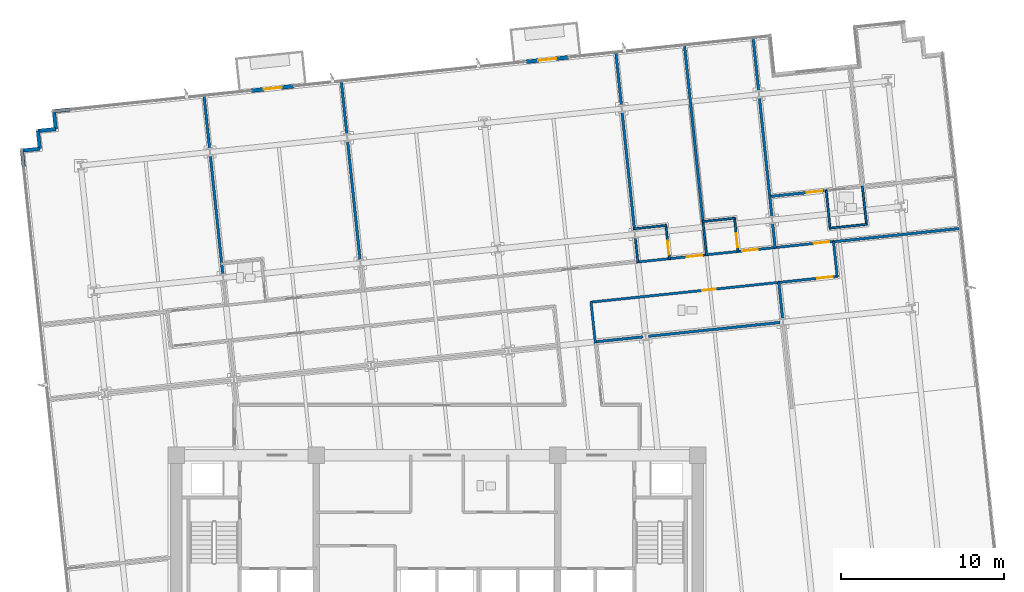
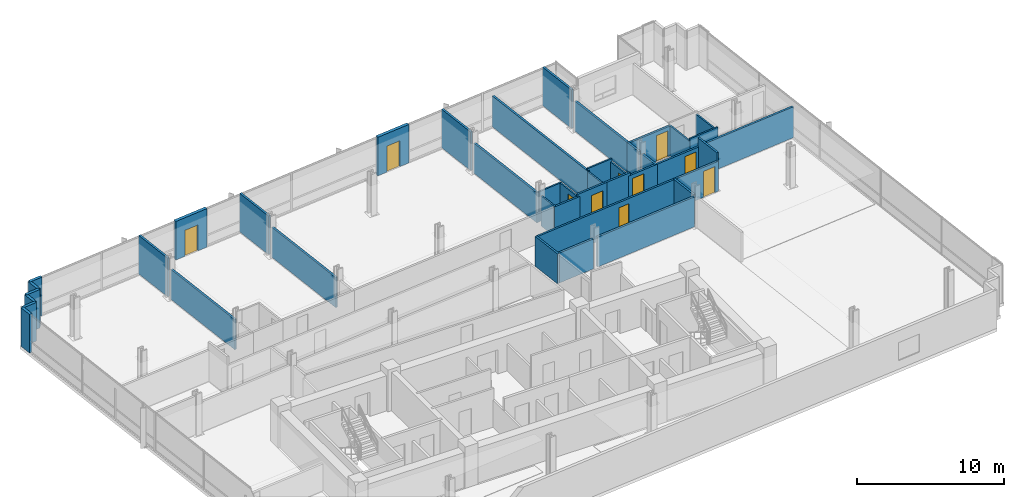
# One storey, part 15 of 21: 42 walls, 10 doors, 10 openings.
"""IFC4 building model written with IfcOpenShell, lengths in metres."""

from ifc_helpers import new_model, si_unit, direction, frame, frame_2d, origin, place, context, subcontext, project, spatial, rectangle, extrude, material, layer, layer_set, type_object, element, fill, save


model = new_model("IFC4")

# Units and contexts
model_context = context("Model", 3, precision=1e-05, world=origin(), true_north=direction((0.0, 1.0)))
body_context = subcontext(model_context, "Body", "Model", "MODEL_VIEW")
ifc_project = project(units=[si_unit("LENGTHUNIT", "METRE"), si_unit("AREAUNIT", "SQUARE_METRE"), si_unit("VOLUMEUNIT", "CUBIC_METRE"), si_unit("PLANEANGLEUNIT", "RADIAN"), si_unit("MASSUNIT", "GRAM", prefix="KILO")], contexts=[model_context])

# Site, building, storey
site_placement = place(None, origin())
site = spatial("IfcSite", under=ifc_project, at=site_placement, CompositionType="ELEMENT")
building_placement = place(site_placement, origin())
building = spatial("IfcBuilding", under=site, at=building_placement, Name="Solmavex Isthmus Hotel", CompositionType="ELEMENT")
storey_placement = place(building_placement, frame((0.0, 0.0, 113.25)))
storey = spatial("IfcBuildingStorey", under=building, at=storey_placement, Name="L30", CompositionType="ELEMENT", Elevation=113.25)

# Wall, opening, door
ifc_material_1 = material(Name="Precast Concrete C40/50", Category="concrete")
ifc_layer_1 = layer(ifc_material_1, 0.25)
ifc_layer_set_1 = layer_set([ifc_layer_1], Name="Precast Concrete C40/50")
wall_type_1 = type_object("IfcWallType", Name="EW-TWR-250", PredefinedType="STANDARD", material=ifc_layer_set_1)
wall_1_placement = place(storey_placement, frame((-11.374267578125, 19.859130859375, 0.0), z_axis=(0.0, 0.0, 1.0), x_axis=(0.994524472508, 0.104503940512, 0.0)))
wall_1 = element("IfcWall", 1, at=wall_1_placement, inside=storey, type_object=wall_type_1, Name="Exterior Balcony Door Wall L30-2", PredefinedType="STANDARD", context=body_context, shape_type="SweptSolid", body=[
    extrude(rectangle(XDim=2.60009765625, YDim=0.239990234375, at=frame_2d((1.300048828125, 0.0))), origin(), (0.0, 0.0, 1.0), 3.18994140625),
])
opening_1_placement = place(wall_1_placement, frame((0.75, 0.0, 0.0)))
opening_1 = element("IfcOpeningElement", 2, at=opening_1_placement, cuts=wall_1, Name="Opening ED-02", PredefinedType="OPENING", context=body_context, shape_type="SweptSolid", body=[
    extrude(rectangle(XDim=1.10009765625, YDim=2.14990234375, at=frame_2d((0.550048828125, 1.074951171875))), frame((0.0, 0.1298828125, 0.0), z_axis=(0.0, -1.0, 0.0), x_axis=(1.0, 0.0, 0.0)), (0.0, 0.0, 1.0), 0.260009765625),
])
ifc_material_2 = material(Name="Aluminium alloy 6063-T6", Category="aluminium")
door_type_1 = type_object("IfcDoorType", Name="EDR-BALC-1100", OperationType="NOTDEFINED", PredefinedType="DOOR", material=ifc_material_2)
door_1_placement = place(opening_1_placement, origin())
door_1 = element("IfcDoor", 3, at=door_1_placement, inside=storey, type_object=door_type_1, Name="Balcony & Terrace Glazed Door L30-2", OperationType="SINGLE_SWING_RIGHT", OverallHeight=2.14990234375, OverallWidth=1.10009765625, PredefinedType="DOOR", context=body_context, shape_type="SweptSolid", body=[
    extrude(rectangle(XDim=1.10009765625, YDim=2.14990234375, at=frame_2d((0.550048828125, 1.074951171875))), frame((0.0, 0.02490234375, 0.0), z_axis=(0.0, -1.0, 0.0), x_axis=(1.0, 0.0, 0.0)), (0.0, 0.0, 1.0), 0.050048828125),
])
fill(opening_1, door_1)

wall_2_placement = place(storey_placement, frame((5.465087890625, 21.629150390625, 0.0), z_axis=(0.0, 0.0, 1.0), x_axis=(0.994523446942, 0.104513699976, 0.0)))
wall_2 = element("IfcWall", 4, at=wall_2_placement, inside=storey, type_object=wall_type_1, Name="Exterior Balcony Door Wall L30-3", PredefinedType="STANDARD", context=body_context, shape_type="SweptSolid", body=[
    extrude(rectangle(XDim=2.599853515625, YDim=0.239990234375, at=frame_2d((1.2998046875, 0.0))), origin(), (0.0, 0.0, 1.0), 3.18994140625),
])
opening_2_placement = place(wall_2_placement, frame((0.75, 0.0, 0.0)))
opening_2 = element("IfcOpeningElement", 5, at=opening_2_placement, cuts=wall_2, Name="Opening ED-02", PredefinedType="OPENING", context=body_context, shape_type="SweptSolid", body=[
    extrude(rectangle(XDim=1.10009765625, YDim=2.14990234375, at=frame_2d((0.550048828125, 1.074951171875))), frame((0.0, 0.1298828125, 0.0), z_axis=(0.0, -1.0, 0.0), x_axis=(1.0, 0.0, 0.0)), (0.0, 0.0, 1.0), 0.260009765625),
])
door_2_placement = place(opening_2_placement, origin())
door_2 = element("IfcDoor", 6, at=door_2_placement, inside=storey, type_object=door_type_1, Name="Balcony & Terrace Glazed Door L30-3", OperationType="SINGLE_SWING_LEFT", OverallHeight=2.14990234375, OverallWidth=1.10009765625, PredefinedType="DOOR", context=body_context, shape_type="SweptSolid", body=[
    extrude(rectangle(XDim=1.10009765625, YDim=2.14990234375, at=frame_2d((0.550048828125, 1.074951171875))), frame((0.0, 0.02490234375, 0.0), z_axis=(0.0, -1.0, 0.0), x_axis=(1.0, 0.0, 0.0)), (0.0, 0.0, 1.0), 0.050048828125),
])
fill(opening_2, door_2)

# Walls
wall_3_placement = place(storey_placement, frame((-25.35400390625, 15.1923828125, 0.0), z_axis=(0.0, 0.0, 1.0), x_axis=(-0.104556418955, 0.99451895671, 0.0)))
element("IfcWall", 7, at=wall_3_placement, inside=storey, type_object=wall_type_1, Name="Serrated Corner Facade Panel L30-07", PredefinedType="STANDARD", context=body_context, shape_type="SweptSolid", body=[
    extrude(rectangle(XDim=0.989990234375, YDim=0.219970703125, at=frame_2d((0.4951171875, 0.0))), origin(), (0.0, 0.0, 1.0), 3.18994140625),
])
wall_4_placement = place(storey_placement, frame((-25.45751953125, 16.177001953125, 0.0), z_axis=(0.0, 0.0, 1.0), x_axis=(0.994521251134, 0.104534592565, 0.0)))
element("IfcWall", 8, at=wall_4_placement, inside=storey, type_object=wall_type_1, Name="Serrated Corner Facade Panel L30-08", PredefinedType="STANDARD", context=body_context, shape_type="SweptSolid", body=[
    extrude(rectangle(XDim=1.10009765625, YDim=0.219970703125, at=frame_2d((0.550048828125, 0.0))), origin(), (0.0, 0.0, 1.0), 3.18994140625),
])
wall_5_placement = place(storey_placement, frame((-24.363525390625, 16.2919921875, 0.0), z_axis=(0.0, 0.0, 1.0), x_axis=(-0.104557671117, 0.994518825066, 0.0)))
element("IfcWall", 9, at=wall_5_placement, inside=storey, type_object=wall_type_1, Name="Serrated Corner Facade Panel L30-09", PredefinedType="STANDARD", context=body_context, shape_type="SweptSolid", body=[
    extrude(rectangle(XDim=1.099853515625, YDim=0.219970703125, at=frame_2d((0.5498046875, 0.0))), origin(), (0.0, 0.0, 1.0), 3.18994140625),
])
for number, where, z_axis, x_axis, name in (
    (10, (-24.478515625, 17.3857421875, 0.0), (0.0, 0.0, 1.0), (0.994521251134, 0.104534592565, 0.0), "Serrated Corner Facade Panel L30-10"),
    (11, (-23.384521484375, 17.500732421875, 0.0), (0.0, 0.0, 1.0), (-0.104534592565, 0.994521251134, 0.0), "Serrated Corner Facade Panel L30-11"),
):
    element("IfcWall", number, at=place(storey_placement, frame(where, z_axis=z_axis, x_axis=x_axis)), inside=storey, type_object=wall_type_1, Name=name, PredefinedType="STANDARD", context=body_context, shape_type="SweptSolid", body=[
        extrude(rectangle(XDim=1.10009765625, YDim=0.219970703125, at=frame_2d((0.550048828125, 0.0))), origin(), (0.0, 0.0, 1.0), 3.18994140625),
    ])
wall_6_placement = place(storey_placement, frame((-23.49951171875, 18.5947265625, 0.0), z_axis=(0.0, 0.0, 1.0), x_axis=(0.99451895671, 0.104556418955, 0.0)))
element("IfcWall", 12, at=wall_6_placement, inside=storey, type_object=wall_type_1, Name="Serrated Corner Facade Panel L30-12", PredefinedType="STANDARD", context=body_context, shape_type="SweptSolid", body=[
    extrude(rectangle(XDim=0.989990234375, YDim=0.219970703125, at=frame_2d((0.4951171875, 0.0))), origin(), (0.0, 0.0, 1.0), 3.18994140625),
])
ifc_material_3 = material(Name="Gypsum plasterboard lining", Category="gypsum")
ifc_layer_2 = layer(ifc_material_3, 0.159912109375)
ifc_layer_set_2 = layer_set([ifc_layer_2], Name="Gypsum plasterboard lining")
wall_type_2 = type_object("IfcWallType", Name="IW-COMP-160", PredefinedType="PARTITIONING", material=ifc_layer_set_2)
wall_7_placement = place(storey_placement, frame((-14.29541015625, 19.59228515625, 0.0), z_axis=(0.0, 0.0, 1.0), x_axis=(0.10455555946, -0.99451904707, 0.0)))
element("IfcWall", 13, at=wall_7_placement, inside=storey, type_object=wall_type_2, Name="Interior Partition Wall W-L30-P024", PredefinedType="PARTITIONING", context=body_context, shape_type="SweptSolid", body=[
    extrude(rectangle(XDim=3.34375, YDim=0.159912109375, at=frame_2d((1.671875, 0.0))), origin(), (0.0, 0.0, 1.0), 3.18994140625),
])
wall_8_placement = place(storey_placement, frame((-13.908935546875, 15.91650390625, 0.0), z_axis=(0.0, 0.0, 1.0), x_axis=(0.104523341075, -0.994522433719, 0.0)))
element("IfcWall", 14, at=wall_8_placement, inside=storey, type_object=wall_type_2, Name="Interior Partition Wall W-L30-P025", PredefinedType="PARTITIONING", context=body_context, shape_type="SweptSolid", body=[
    extrude(rectangle(XDim=7.399658203125, YDim=0.159912109375, at=frame_2d((3.69970703125, 0.0))), origin(), (0.0, 0.0, 1.0), 2.4794921875),
])
wall_9_placement = place(storey_placement, frame((-5.875732421875, 20.477294921875, 0.0), z_axis=(0.0, 0.0, 1.0), x_axis=(0.10455555946, -0.99451904707, 0.0)))
element("IfcWall", 15, at=wall_9_placement, inside=storey, type_object=wall_type_2, Name="Interior Partition Wall W-L30-P030", PredefinedType="PARTITIONING", context=body_context, shape_type="SweptSolid", body=[
    extrude(rectangle(XDim=3.34375, YDim=0.159912109375, at=frame_2d((1.671875, 0.0))), origin(), (0.0, 0.0, 1.0), 3.18994140625),
])
wall_10_placement = place(storey_placement, frame((-5.4892578125, 16.80126953125, 0.0), z_axis=(0.0, 0.0, 1.0), x_axis=(0.104526770886, -0.994522073243, 0.0)))
element("IfcWall", 16, at=wall_10_placement, inside=storey, type_object=wall_type_2, Name="Interior Partition Wall W-L30-P031", PredefinedType="PARTITIONING", context=body_context, shape_type="SweptSolid", body=[
    extrude(rectangle(XDim=7.3994140625, YDim=0.159912109375, at=frame_2d((3.69970703125, 0.0))), origin(), (0.0, 0.0, 1.0), 2.4794921875),
])
wall_11_placement = place(storey_placement, frame((10.963623046875, 22.2470703125, 0.0), z_axis=(0.0, 0.0, 1.0), x_axis=(0.10448334315, -0.994526636649, 0.0)))
element("IfcWall", 17, at=wall_11_placement, inside=storey, type_object=wall_type_2, Name="Interior Partition Wall W-L30-P033", PredefinedType="PARTITIONING", context=body_context, shape_type="SweptSolid", body=[
    extrude(rectangle(XDim=3.34375, YDim=0.159912109375, at=frame_2d((1.671875, 0.0))), origin(), (0.0, 0.0, 1.0), 3.18994140625),
])
wall_12_placement = place(storey_placement, frame((11.349853515625, 18.5712890625, 0.0), z_axis=(0.0, 0.0, 1.0), x_axis=(0.104528227088, -0.994521920192, 0.0)))
element("IfcWall", 18, at=wall_12_placement, inside=storey, type_object=wall_type_2, Name="Interior Partition Wall W-L30-P034", PredefinedType="PARTITIONING", context=body_context, shape_type="SweptSolid", body=[
    extrude(rectangle(XDim=7.305908203125, YDim=0.159912109375, at=frame_2d((3.65283203125, 0.0))), origin(), (0.0, 0.0, 1.0), 2.4794921875),
])
wall_13_placement = place(storey_placement, frame((15.17333984375, 22.689697265625, 0.0), z_axis=(0.0, 0.0, 1.0), x_axis=(0.104538084805, -0.994520884057, 0.0)))
element("IfcWall", 19, at=wall_13_placement, inside=storey, type_object=wall_type_2, Name="Interior Partition Wall W-L30-P038", PredefinedType="PARTITIONING", context=body_context, shape_type="SweptSolid", body=[
    extrude(rectangle(XDim=11.002197265625, YDim=0.159912109375, at=frame_2d((5.5009765625, 0.0))), origin(), (0.0, 0.0, 1.0), 2.55322265625),
])
wall_14_placement = place(storey_placement, frame((20.4013671875, 13.445556640625, 0.0), z_axis=(0.0, 0.0, 1.0), x_axis=(0.104441069102, -0.994531076983, 0.0)))
element("IfcWall", 20, at=wall_14_placement, inside=storey, type_object=wall_type_2, Name="Interior Partition Wall W-L30-P042", PredefinedType="PARTITIONING", context=body_context, shape_type="SweptSolid", body=[
    extrude(rectangle(XDim=1.355712890625, YDim=0.159912109375, at=frame_2d((0.677734375, 0.0))), origin(), (0.0, 0.0, 1.0), 2.4794921875),
])
wall_15_placement = place(storey_placement, frame((20.579833984375, 11.74658203125, 0.0), z_axis=(0.0, 0.0, 1.0), x_axis=(0.104578999325, -0.994516582516, 0.0)))
element("IfcWall", 21, at=wall_15_placement, inside=storey, type_object=wall_type_2, Name="Interior Partition Wall W-L30-P043", PredefinedType="PARTITIONING", context=body_context, shape_type="SweptSolid", body=[
    extrude(rectangle(XDim=1.561767578125, YDim=0.159912109375, at=frame_2d((0.78076171875, 0.0))), origin(), (0.0, 0.0, 1.0), 2.4794921875),
])
wall_16_placement = place(storey_placement, frame((19.383056640625, 23.132080078125, 0.0), z_axis=(0.0, 0.0, 1.0), x_axis=(0.10455555946, -0.99451904707, 0.0)))
element("IfcWall", 22, at=wall_16_placement, inside=storey, type_object=wall_type_2, Name="Interior Partition Wall W-L30-P044", PredefinedType="PARTITIONING", context=body_context, shape_type="SweptSolid", body=[
    extrude(rectangle(XDim=3.34375, YDim=0.159912109375, at=frame_2d((1.671875, 0.0))), origin(), (0.0, 0.0, 1.0), 3.18994140625),
])
wall_17_placement = place(storey_placement, frame((19.76953125, 19.456298828125, 0.0), z_axis=(0.0, 0.0, 1.0), x_axis=(0.104533290466, -0.994521387997, 0.0)))
element("IfcWall", 23, at=wall_17_placement, inside=storey, type_object=wall_type_2, Name="Interior Partition Wall W-L30-P045", PredefinedType="PARTITIONING", context=body_context, shape_type="SweptSolid", body=[
    extrude(rectangle(XDim=6.207763671875, YDim=0.159912109375, at=frame_2d((3.10400390625, 0.0))), origin(), (0.0, 0.0, 1.0), 2.4794921875),
])

# Wall, opening, door
wall_18_placement = place(storey_placement, frame((20.3701171875, 13.35986328125, 0.0), z_axis=(0.0, 0.0, 1.0), x_axis=(0.994528326067, 0.104467261141, 0.0)))
wall_18 = element("IfcWall", 24, at=wall_18_placement, inside=storey, type_object=wall_type_2, Name="Interior Partition Wall W-L30-P046", PredefinedType="PARTITIONING", context=body_context, shape_type="SweptSolid", body=[
    extrude(rectangle(XDim=3.56396484375, YDim=0.159912109375, at=frame_2d((1.781982421875, 0.0))), origin(), (0.0, 0.0, 1.0), 2.4794921875),
])
opening_3_placement = place(wall_18_placement, frame((2.331298828125, 0.0, 0.0)))
opening_3 = element("IfcOpeningElement", 25, at=opening_3_placement, cuts=wall_18, Name="Opening ID-C095", PredefinedType="OPENING", context=body_context, shape_type="SweptSolid", body=[
    extrude(rectangle(XDim=0.949951171875, YDim=2.14990234375, at=frame_2d((0.47509765625, 1.074951171875))), frame((0.0, 0.08984375, 0.0), z_axis=(0.0, -1.0, 0.0), x_axis=(1.0, 0.0, 0.0)), (0.0, 0.0, 1.0), 0.179931640625),
])
ifc_material_4 = material(Name="Hardwood timber", Category="wood")
door_type_2 = type_object("IfcDoorType", Name="IDR-FD60-0950", OperationType="NOTDEFINED", PredefinedType="DOOR", material=ifc_material_4)
door_3_placement = place(opening_3_placement, origin())
door_3 = element("IfcDoor", 26, at=door_3_placement, inside=storey, type_object=door_type_2, Name="Ambassador Panorama Suite Master Bedroom Door L30-10", OperationType="SINGLE_SWING_RIGHT", OverallHeight=2.14990234375, OverallWidth=0.949951171875, PredefinedType="DOOR", context=body_context, shape_type="SweptSolid", body=[
    extrude(rectangle(XDim=0.949951171875, YDim=2.14990234375, at=frame_2d((0.47509765625, 1.074951171875))), frame((0.0, 0.02490234375, 0.0), z_axis=(0.0, -1.0, 0.0), x_axis=(1.0, 0.0, 0.0)), (0.0, 0.0, 1.0), 0.050048828125),
])
fill(opening_3, door_3)

# Walls
wall_19_placement = place(storey_placement, frame((32.166015625, 11.4140625, 0.0), z_axis=(0.0, 0.0, 1.0), x_axis=(-0.994522987852, -0.104518068455, 0.0)))
element("IfcWall", 27, at=wall_19_placement, inside=storey, type_object=wall_type_2, Name="Interior Partition Wall W-L30-P051", PredefinedType="PARTITIONING", context=body_context, shape_type="SweptSolid", body=[
    extrude(rectangle(XDim=7.927978515625, YDim=0.159912109375, at=frame_2d((3.9638671875, 0.0))), origin(), (0.0, 0.0, 1.0), 2.55322265625),
])
wall_20_placement = place(storey_placement, frame((20.95947265625, 8.134765625, 0.0), z_axis=(0.0, 0.0, 1.0), x_axis=(0.104558463094, -0.994518741802, 0.0)))
element("IfcWall", 28, at=wall_20_placement, inside=storey, type_object=wall_type_2, Name="Interior Partition Wall W-L30-P054", PredefinedType="PARTITIONING", context=body_context, shape_type="SweptSolid", body=[
    extrude(rectangle(XDim=2.31396484375, YDim=0.159912109375, at=frame_2d((1.156982421875, 0.0))), origin(), (0.0, 0.0, 1.0), 2.4794921875),
])
wall_21_placement = place(storey_placement, frame((12.625, 4.755126953125, 0.0), z_axis=(0.0, 0.0, 1.0), x_axis=(-0.994518476722, -0.1045609844, 0.0)))
element("IfcWall", 29, at=wall_21_placement, inside=storey, type_object=wall_type_2, Name="Interior Partition Wall W-L30-P055", PredefinedType="PARTITIONING", context=body_context, shape_type="SweptSolid", body=[
    extrude(rectangle(XDim=2.97705078125, YDim=0.159912109375, at=frame_2d((1.488525390625, 0.0))), origin(), (0.0, 0.0, 1.0), 2.4794921875),
])
wall_22_placement = place(storey_placement, frame((21.04443359375, 5.639892578125, 0.0), z_axis=(0.0, 0.0, 1.0), x_axis=(-0.994521269983, -0.104534413238, 0.0)))
element("IfcWall", 30, at=wall_22_placement, inside=storey, type_object=wall_type_2, Name="Interior Partition Wall W-L30-P056", PredefinedType="PARTITIONING", context=body_context, shape_type="SweptSolid", body=[
    extrude(rectangle(XDim=8.113525390625, YDim=0.159912109375, at=frame_2d((4.056640625, 0.0))), origin(), (0.0, 0.0, 1.0), 2.4794921875),
])

# Wall, opening, door
ifc_layer_3 = layer(ifc_material_3, 0.14990234375)
ifc_layer_set_3 = layer_set([ifc_layer_3], Name="Gypsum plasterboard lining")
wall_type_3 = type_object("IfcWallType", Name="IW-CORR-150", PredefinedType="PARTITIONING", material=ifc_layer_set_3)
wall_23_placement = place(storey_placement, frame((14.17431640625, 9.543212890625, 0.0), z_axis=(0.0, 0.0, 1.0), x_axis=(0.99452018747, 0.10454471156, 0.0)))
wall_23 = element("IfcWall", 31, at=wall_23_placement, inside=storey, type_object=wall_type_3, Name="Interior Partition Wall W-L30-P005", PredefinedType="PARTITIONING", context=body_context, shape_type="SweptSolid", body=[
    extrude(rectangle(XDim=2.44970703125, YDim=0.14990234375, at=frame_2d((1.224853515625, 0.0))), origin(), (0.0, 0.0, 1.0), 2.718017578125),
])
opening_4_placement = place(wall_23_placement, frame((1.14794921875, 0.0, 0.0)))
opening_4 = element("IfcOpeningElement", 32, at=opening_4_placement, cuts=wall_23, Name="Opening ID-C095", PredefinedType="OPENING", context=body_context, shape_type="SweptSolid", body=[
    extrude(rectangle(XDim=0.949951171875, YDim=2.14990234375, at=frame_2d((0.47509765625, 1.074951171875))), frame((0.0, 0.0849609375, 0.0), z_axis=(0.0, -1.0, 0.0), x_axis=(1.0, 0.0, 0.0)), (0.0, 0.0, 1.0), 0.169921875),
])
door_4_placement = place(opening_4_placement, frame((0.949951171875, 0.0, 0.0), z_axis=(0.0, 0.0, 1.0), x_axis=(-1.0, 0.0, 0.0)))
door_4 = element("IfcDoor", 33, at=door_4_placement, inside=storey, type_object=door_type_2, Name="Club Twin Room Door L30-05", OperationType="SINGLE_SWING_LEFT", OverallHeight=2.14990234375, OverallWidth=0.949951171875, PredefinedType="DOOR", context=body_context, shape_type="SweptSolid", body=[
    extrude(rectangle(XDim=0.949951171875, YDim=2.14990234375, at=frame_2d((0.47509765625, 1.074951171875))), frame((0.0, 0.02490234375, 0.0), z_axis=(0.0, -1.0, 0.0), x_axis=(1.0, 0.0, 0.0)), (0.0, 0.0, 1.0), 0.050048828125),
])
fill(opening_4, door_4)

# Wall
wall_24_placement = place(storey_placement, frame((12.23779296875, 9.339599609375, 0.0), z_axis=(0.0, 0.0, 1.0), x_axis=(0.994520650134, 0.1045403102, 0.0)))
element("IfcWall", 34, at=wall_24_placement, inside=storey, type_object=wall_type_3, Name="Interior Partition Wall W-L30-P006", PredefinedType="PARTITIONING", context=body_context, shape_type="SweptSolid", body=[
    extrude(rectangle(XDim=2.111083984375, YDim=0.14990234375, at=frame_2d((1.0556640625, 0.0))), origin(), (0.0, 0.0, 1.0), 2.4794921875),
])

# Wall, opening, door
wall_25_placement = place(storey_placement, frame((18.384033203125, 9.985595703125, 0.0), z_axis=(0.0, 0.0, 1.0), x_axis=(0.994521276566, 0.104534350613, 0.0)))
wall_25 = element("IfcWall", 35, at=wall_25_placement, inside=storey, type_object=wall_type_3, Name="Interior Partition Wall W-L30-P007", PredefinedType="PARTITIONING", context=body_context, shape_type="SweptSolid", body=[
    extrude(rectangle(XDim=2.449951171875, YDim=0.14990234375, at=frame_2d((1.22509765625, 0.0))), origin(), (0.0, 0.0, 1.0), 2.4794921875),
])
opening_5_placement = place(wall_25_placement, frame((0.351806640625, 0.0, 0.0)))
opening_5 = element("IfcOpeningElement", 36, at=opening_5_placement, cuts=wall_25, Name="Opening ID-C095", PredefinedType="OPENING", context=body_context, shape_type="SweptSolid", body=[
    extrude(rectangle(XDim=0.949951171875, YDim=2.14990234375, at=frame_2d((0.47509765625, 1.074951171875))), frame((0.0, 0.0849609375, 0.0), z_axis=(0.0, -1.0, 0.0), x_axis=(1.0, 0.0, 0.0)), (0.0, 0.0, 1.0), 0.169921875),
])
door_5_placement = place(opening_5_placement, frame((0.949951171875, 0.0, 0.0), z_axis=(0.0, 0.0, 1.0), x_axis=(-1.0, 0.0, 0.0)))
door_5 = element("IfcDoor", 37, at=door_5_placement, inside=storey, type_object=door_type_2, Name="Deluxe Guest Room Door L30-07", OperationType="SINGLE_SWING_LEFT", OverallHeight=2.14990234375, OverallWidth=0.949951171875, PredefinedType="DOOR", context=body_context, shape_type="SweptSolid", body=[
    extrude(rectangle(XDim=0.949951171875, YDim=2.14990234375, at=frame_2d((0.47509765625, 1.074951171875))), frame((0.0, 0.02490234375, 0.0), z_axis=(0.0, -1.0, 0.0), x_axis=(1.0, 0.0, 0.0)), (0.0, 0.0, 1.0), 0.050048828125),
])
fill(opening_5, door_5)

# Wall
wall_26_placement = place(storey_placement, frame((16.447509765625, 9.7822265625, 0.0), z_axis=(0.0, 0.0, 1.0), x_axis=(0.994520650134, 0.1045403102, 0.0)))
element("IfcWall", 38, at=wall_26_placement, inside=storey, type_object=wall_type_3, Name="Interior Partition Wall W-L30-P008", PredefinedType="PARTITIONING", context=body_context, shape_type="SweptSolid", body=[
    extrude(rectangle(XDim=2.111083984375, YDim=0.14990234375, at=frame_2d((1.0556640625, 0.0))), origin(), (0.0, 0.0, 1.0), 2.718017578125),
])

# Wall, opening, door
wall_27_placement = place(storey_placement, frame((20.657470703125, 10.224609375, 0.0), z_axis=(0.0, 0.0, 1.0), x_axis=(0.994518385036, 0.104561856457, 0.0)))
wall_27 = element("IfcWall", 39, at=wall_27_placement, inside=storey, type_object=wall_type_3, Name="Interior Partition Wall W-L30-P009", PredefinedType="PARTITIONING", context=body_context, shape_type="SweptSolid", body=[
    extrude(rectangle(XDim=3.721923828125, YDim=0.14990234375, at=frame_2d((1.86083984375, 0.0))), origin(), (0.0, 0.0, 1.0), 2.4794921875),
])
opening_6_placement = place(wall_27_placement, frame((2.456787109375, 0.0, 0.0)))
opening_6 = element("IfcOpeningElement", 40, at=opening_6_placement, cuts=wall_27, Name="Opening ID-C095", PredefinedType="OPENING", context=body_context, shape_type="SweptSolid", body=[
    extrude(rectangle(XDim=0.949951171875, YDim=2.14990234375, at=frame_2d((0.47509765625, 1.074951171875))), frame((0.0, 0.0849609375, 0.0), z_axis=(0.0, -1.0, 0.0), x_axis=(1.0, 0.0, 0.0)), (0.0, 0.0, 1.0), 0.169921875),
])
door_6_placement = place(opening_6_placement, frame((0.949951171875, 0.0, 0.0), z_axis=(0.0, 0.0, 1.0), x_axis=(-1.0, 0.0, 0.0)))
door_6 = element("IfcDoor", 41, at=door_6_placement, inside=storey, type_object=door_type_2, Name="Ambassador Panorama Suite Living Salon Door L30-09", OperationType="SINGLE_SWING_LEFT", OverallHeight=2.14990234375, OverallWidth=0.949951171875, PredefinedType="DOOR", context=body_context, shape_type="SweptSolid", body=[
    extrude(rectangle(XDim=0.949951171875, YDim=2.14990234375, at=frame_2d((0.47509765625, 1.074951171875))), frame((0.0, 0.02490234375, 0.0), z_axis=(0.0, -1.0, 0.0), x_axis=(1.0, 0.0, 0.0)), (0.0, 0.0, 1.0), 0.050048828125),
])
fill(opening_6, door_6)

wall_28_placement = place(storey_placement, frame((21.045166015625, 8.103515625, 0.0), z_axis=(0.0, 0.0, 1.0), x_axis=(-0.994521447183, -0.104532727376, 0.0)))
wall_28 = element("IfcWall", 42, at=wall_28_placement, inside=storey, type_object=wall_type_3, Name="Interior Partition Wall W-L30-P010", PredefinedType="PARTITIONING", context=body_context, shape_type="SweptSolid", body=[
    extrude(rectangle(XDim=11.701171875, YDim=0.14990234375, at=frame_2d((5.8505859375, 0.0))), origin(), (0.0, 0.0, 1.0), 2.4794921875),
])
opening_7_placement = place(wall_28_placement, frame((3.961181640625, 0.0, 0.0)))
opening_7 = element("IfcOpeningElement", 43, at=opening_7_placement, cuts=wall_28, Name="Opening ID-R085", PredefinedType="OPENING", context=body_context, shape_type="SweptSolid", body=[
    extrude(rectangle(XDim=0.85009765625, YDim=2.050048828125, at=frame_2d((0.425048828125, 1.02490234375))), frame((0.0, 0.0849609375, 0.0), z_axis=(0.0, -1.0, 0.0), x_axis=(1.0, 0.0, 0.0)), (0.0, 0.0, 1.0), 0.169921875),
])
ifc_material_5 = material(Name="Steel ASTM A500 Grade C", Category="steel")
door_type_3 = type_object("IfcDoorType", Name="IDR-FD60-0850", OperationType="NOTDEFINED", PredefinedType="DOOR", material=ifc_material_5)
door_7_placement = place(opening_7_placement, frame((0.85009765625, 0.0, 0.0), z_axis=(0.0, 0.0, 1.0), x_axis=(-1.0, 0.0, 0.0)))
door_7 = element("IfcDoor", 44, at=door_7_placement, inside=storey, type_object=door_type_3, Name="Public Restroom WC Door L30-13", OperationType="SINGLE_SWING_LEFT", OverallHeight=2.050048828125, OverallWidth=0.85009765625, PredefinedType="DOOR", context=body_context, shape_type="SweptSolid", body=[
    extrude(rectangle(XDim=0.85009765625, YDim=2.050048828125, at=frame_2d((0.425048828125, 1.02490234375))), frame((0.0, 0.02490234375, 0.0), z_axis=(0.0, -1.0, 0.0), x_axis=(1.0, 0.0, 0.0)), (0.0, 0.0, 1.0), 0.050048828125),
])
fill(opening_7, door_7)

# Walls
wall_29_placement = place(storey_placement, frame((9.44384765625, 6.92431640625, 0.0), z_axis=(0.0, 0.0, 1.0), x_axis=(0.104511838358, -0.994523642576, 0.0)))
element("IfcWall", 45, at=wall_29_placement, inside=storey, type_object=wall_type_3, Name="Interior Partition Wall W-L30-P011", PredefinedType="PARTITIONING", context=body_context, shape_type="SweptSolid", body=[
    extrude(rectangle(XDim=2.572021484375, YDim=0.14990234375, at=frame_2d((1.2861328125, 0.0))), origin(), (0.0, 0.0, 1.0), 2.4794921875),
])
wall_30_placement = place(storey_placement, frame((24.317138671875, 10.62939453125, 0.0), z_axis=(0.0, 0.0, 1.0), x_axis=(0.104500773718, -0.994524805267, 0.0)))
element("IfcWall", 46, at=wall_30_placement, inside=storey, type_object=wall_type_3, Name="Interior Partition Wall W-L30-P019", PredefinedType="PARTITIONING", context=body_context, shape_type="SweptSolid", body=[
    extrude(rectangle(XDim=2.210205078125, YDim=0.14990234375, at=frame_2d((1.10498046875, 0.0))), origin(), (0.0, 0.0, 1.0), 3.18994140625),
])

# Wall, opening, door
wall_31_placement = place(storey_placement, frame((24.583740234375, 8.475341796875, 0.0), z_axis=(0.0, 0.0, 1.0), x_axis=(-0.994525920558, -0.104490159046, 0.0)))
wall_31 = element("IfcWall", 47, at=wall_31_placement, inside=storey, type_object=wall_type_3, Name="Interior Partition Wall W-L30-P020", PredefinedType="PARTITIONING", context=body_context, shape_type="SweptSolid", body=[
    extrude(rectangle(XDim=3.721923828125, YDim=0.14990234375, at=frame_2d((1.86083984375, 0.0))), origin(), (0.0, 0.0, 1.0), 2.4794921875),
])
opening_8_placement = place(wall_31_placement, frame((0.315185546875, 0.0, 0.0)))
opening_8 = element("IfcOpeningElement", 48, at=opening_8_placement, cuts=wall_31, Name="Opening ID-C095", PredefinedType="OPENING", context=body_context, shape_type="SweptSolid", body=[
    extrude(rectangle(XDim=0.949951171875, YDim=2.14990234375, at=frame_2d((0.47509765625, 1.074951171875))), frame((0.0, 0.0849609375, 0.0), z_axis=(0.0, -1.0, 0.0), x_axis=(1.0, 0.0, 0.0)), (0.0, 0.0, 1.0), 0.169921875),
])
door_8_placement = place(opening_8_placement, frame((0.949951171875, 0.0, 0.0), z_axis=(0.0, 0.0, 1.0), x_axis=(-1.0, 0.0, 0.0)))
door_8 = element("IfcDoor", 49, at=door_8_placement, inside=storey, type_object=door_type_2, Name="Executive Hospitality Lounge Door L30-18", OperationType="SINGLE_SWING_RIGHT", OverallHeight=2.14990234375, OverallWidth=0.949951171875, PredefinedType="DOOR", context=body_context, shape_type="SweptSolid", body=[
    extrude(rectangle(XDim=0.949951171875, YDim=2.14990234375, at=frame_2d((0.47509765625, 1.074951171875))), frame((0.0, 0.02490234375, 0.0), z_axis=(0.0, -1.0, 0.0), x_axis=(1.0, 0.0, 0.0)), (0.0, 0.0, 1.0), 0.050048828125),
])
fill(opening_8, door_8)

# Wall
ifc_layer_4 = layer(ifc_material_3, 0.1201171875)
ifc_layer_set_4 = layer_set([ifc_layer_4], Name="Gypsum plasterboard lining")
wall_type_4 = type_object("IfcWallType", Name="IW-PART-120", PredefinedType="PARTITIONING", material=ifc_layer_set_4)
wall_32_placement = place(storey_placement, frame((12.16015625, 10.86181640625, 0.0), z_axis=(0.0, 0.0, 1.0), x_axis=(0.104562743548, -0.994518291768, 0.0)))
element("IfcWall", 50, at=wall_32_placement, inside=storey, type_object=wall_type_4, Name="Interior Partition Wall W-L30-P035", PredefinedType="PARTITIONING", context=body_context, shape_type="SweptSolid", body=[
    extrude(rectangle(XDim=1.56201171875, YDim=0.1201171875, at=frame_2d((0.781005859375, 0.0))), origin(), (0.0, 0.0, 1.0), 2.4794921875),
])

# Wall, opening, door
wall_33_placement = place(storey_placement, frame((14.260009765625, 9.511962890625, 0.0), z_axis=(0.0, 0.0, 1.0), x_axis=(-0.104529659321, 0.994521769657, 0.0)))
wall_33 = element("IfcWall", 51, at=wall_33_placement, inside=storey, type_object=wall_type_4, Name="Interior Partition Wall W-L30-P036", PredefinedType="PARTITIONING", context=body_context, shape_type="SweptSolid", body=[
    extrude(rectangle(XDim=2.130126953125, YDim=0.1201171875, at=frame_2d((1.06494140625, 0.0))), origin(), (0.0, 0.0, 1.0), 2.4794921875),
])
opening_9_placement = place(wall_33_placement, frame((0.295654296875, 0.0, 0.0)))
opening_9 = element("IfcOpeningElement", 52, at=opening_9_placement, cuts=wall_33, Name="Opening ID-U085", PredefinedType="OPENING", context=body_context, shape_type="SweptSolid", body=[
    extrude(rectangle(XDim=0.85009765625, YDim=2.10009765625, at=frame_2d((0.425048828125, 1.050048828125))), frame((0.0, 0.070068359375, 0.0), z_axis=(0.0, -1.0, 0.0), x_axis=(1.0, 0.0, 0.0)), (0.0, 0.0, 1.0), 0.14013671875),
])
door_type_4 = type_object("IfcDoorType", Name="IDR-UNR-0850", OperationType="NOTDEFINED", PredefinedType="DOOR", material=ifc_material_4)
door_9_placement = place(opening_9_placement, frame((0.85009765625, 0.0, 0.0), z_axis=(0.0, 0.0, 1.0), x_axis=(-1.0, 0.0, 0.0)))
door_9 = element("IfcDoor", 53, at=door_9_placement, inside=storey, type_object=door_type_4, Name="En-suite Bathroom Door L30-06", OperationType="SINGLE_SWING_RIGHT", OverallHeight=2.10009765625, OverallWidth=0.85009765625, PredefinedType="DOOR", context=body_context, shape_type="SweptSolid", body=[
    extrude(rectangle(XDim=0.85009765625, YDim=2.10009765625, at=frame_2d((0.425048828125, 1.050048828125))), frame((0.0, 0.02490234375, 0.0), z_axis=(0.0, -1.0, 0.0), x_axis=(1.0, 0.0, 0.0)), (0.0, 0.0, 1.0), 0.050048828125),
])
fill(opening_9, door_9)

# Walls
wall_34_placement = place(storey_placement, frame((14.081298828125, 11.5947265625, 0.0), z_axis=(0.0, 0.0, 1.0), x_axis=(-0.994521279075, -0.104534326742, 0.0)))
element("IfcWall", 54, at=wall_34_placement, inside=storey, type_object=wall_type_4, Name="Interior Partition Wall W-L30-P037", PredefinedType="PARTITIONING", context=body_context, shape_type="SweptSolid", body=[
    extrude(rectangle(XDim=2.027099609375, YDim=0.1201171875, at=frame_2d((1.013671875, 0.0))), origin(), (0.0, 0.0, 1.0), 2.4794921875),
])
wall_35_placement = place(storey_placement, frame((16.30615234375, 11.9111328125, 0.0), z_axis=(0.0, 0.0, 1.0), x_axis=(0.104532657405, -0.994521454538, 0.0)))
element("IfcWall", 55, at=wall_35_placement, inside=storey, type_object=wall_type_4, Name="Interior Partition Wall W-L30-P039", PredefinedType="PARTITIONING", context=body_context, shape_type="SweptSolid", body=[
    extrude(rectangle(XDim=2.172119140625, YDim=0.1201171875, at=frame_2d((1.0859375, 0.0))), origin(), (0.0, 0.0, 1.0), 2.4794921875),
])

# Wall, opening, door
wall_36_placement = place(storey_placement, frame((18.4697265625, 9.954345703125, 0.0), z_axis=(0.0, 0.0, 1.0), x_axis=(-0.104529659321, 0.994521769657, 0.0)))
wall_36 = element("IfcWall", 56, at=wall_36_placement, inside=storey, type_object=wall_type_4, Name="Interior Partition Wall W-L30-P040", PredefinedType="PARTITIONING", context=body_context, shape_type="SweptSolid", body=[
    extrude(rectangle(XDim=2.130126953125, YDim=0.1201171875, at=frame_2d((1.06494140625, 0.0))), origin(), (0.0, 0.0, 1.0), 2.4794921875),
])
opening_10_placement = place(wall_36_placement, frame((0.295654296875, 0.0, 0.0)))
opening_10 = element("IfcOpeningElement", 57, at=opening_10_placement, cuts=wall_36, Name="Opening ID-U085", PredefinedType="OPENING", context=body_context, shape_type="SweptSolid", body=[
    extrude(rectangle(XDim=0.85009765625, YDim=2.10009765625, at=frame_2d((0.425048828125, 1.050048828125))), frame((0.0, 0.070068359375, 0.0), z_axis=(0.0, -1.0, 0.0), x_axis=(1.0, 0.0, 0.0)), (0.0, 0.0, 1.0), 0.14013671875),
])
door_10_placement = place(opening_10_placement, origin())
door_10 = element("IfcDoor", 58, at=door_10_placement, inside=storey, type_object=door_type_4, Name="En-suite Bathroom Door L30-08", OperationType="SINGLE_SWING_RIGHT", OverallHeight=2.10009765625, OverallWidth=0.85009765625, PredefinedType="DOOR", context=body_context, shape_type="SweptSolid", body=[
    extrude(rectangle(XDim=0.85009765625, YDim=2.10009765625, at=frame_2d((0.425048828125, 1.050048828125))), frame((0.0, 0.02490234375, 0.0), z_axis=(0.0, -1.0, 0.0), x_axis=(1.0, 0.0, 0.0)), (0.0, 0.0, 1.0), 0.050048828125),
])
fill(opening_10, door_10)

# Walls
wall_37_placement = place(storey_placement, frame((18.291015625, 12.037109375, 0.0), z_axis=(0.0, 0.0, 1.0), x_axis=(-0.994519962835, -0.104546848461, 0.0)))
element("IfcWall", 59, at=wall_37_placement, inside=storey, type_object=wall_type_4, Name="Interior Partition Wall W-L30-P041", PredefinedType="PARTITIONING", context=body_context, shape_type="SweptSolid", body=[
    extrude(rectangle(XDim=2.02685546875, YDim=0.1201171875, at=frame_2d((1.013427734375, 0.0))), origin(), (0.0, 0.0, 1.0), 2.718017578125),
])
wall_38_placement = place(storey_placement, frame((23.870849609375, 13.767822265625, 0.0), z_axis=(0.0, 0.0, 1.0), x_axis=(0.100189204737, -0.994968403144, 0.0)))
element("IfcWall", 60, at=wall_38_placement, inside=storey, type_object=wall_type_4, Name="Interior Partition Wall W-L30-P048", PredefinedType="PARTITIONING", context=body_context, shape_type="SweptSolid", body=[
    extrude(rectangle(XDim=2.397705078125, YDim=0.1201171875, at=frame_2d((1.19873046875, 0.0))), origin(), (0.0, 0.0, 1.0), 2.4794921875),
])
wall_39_placement = place(storey_placement, frame((24.0673828125, 11.41748046875, 0.0), z_axis=(0.0, 0.0, 1.0), x_axis=(0.994516930255, 0.104575692382, 0.0)))
element("IfcWall", 61, at=wall_39_placement, inside=storey, type_object=wall_type_4, Name="Interior Partition Wall W-L30-P049", PredefinedType="PARTITIONING", context=body_context, shape_type="SweptSolid", body=[
    extrude(rectangle(XDim=2.329833984375, YDim=0.1201171875, at=frame_2d((1.1650390625, 0.0))), origin(), (0.0, 0.0, 1.0), 2.718017578125),
])
wall_40_placement = place(storey_placement, frame((26.34912109375, 11.6171875, 0.0), z_axis=(0.0, 0.0, 1.0), x_axis=(-0.108833483635, 0.994059994588, 0.0)))
element("IfcWall", 62, at=wall_40_placement, inside=storey, type_object=wall_type_4, Name="Interior Partition Wall W-L30-P050", PredefinedType="PARTITIONING", context=body_context, shape_type="SweptSolid", body=[
    extrude(rectangle(XDim=2.39794921875, YDim=0.1201171875, at=frame_2d((1.198974609375, 0.0))), origin(), (0.0, 0.0, 1.0), 2.4794921875),
])

save(model, "model.ifc")
